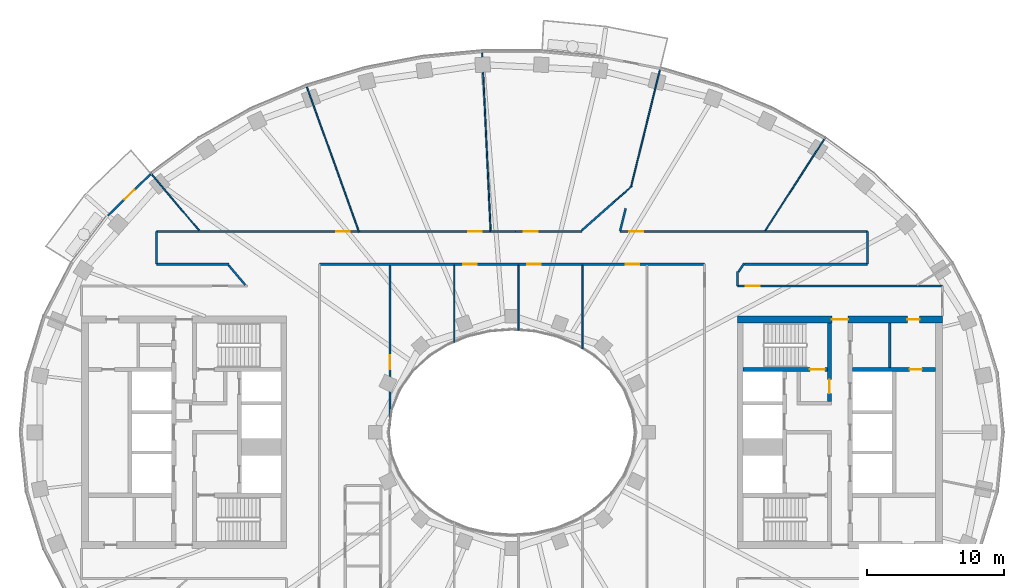
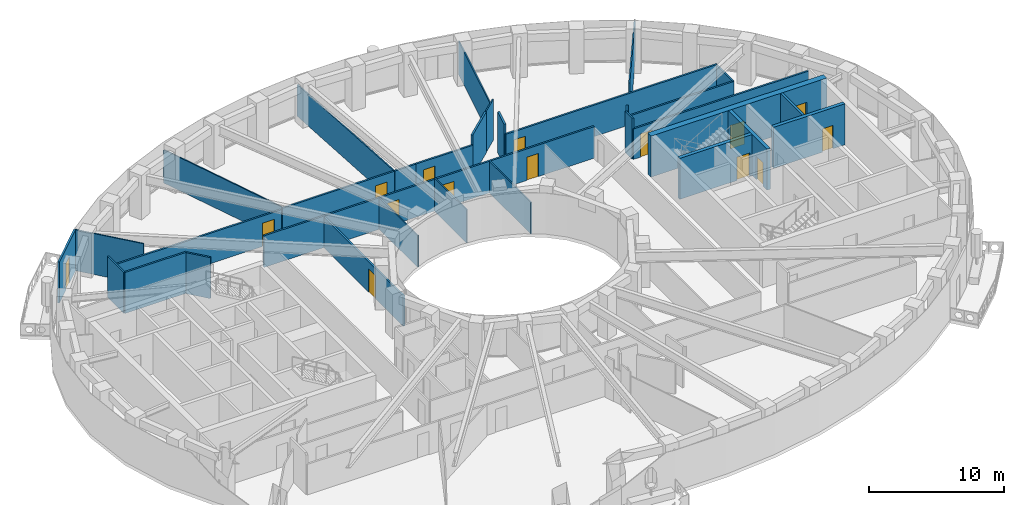
# One storey, part 6 of 16: 32 walls, 15 doors, 15 openings.
"""IFC4 building model written with IfcOpenShell, lengths in metres."""

from ifc_helpers import new_model, si_unit, direction, frame, frame_2d, origin, place, context, subcontext, project, spatial, rectangle, extrude, material, layer, layer_set, type_object, element, fill, save


model = new_model("IFC4")

# Units and contexts
model_context = context("Model", 3, precision=1e-05, world=origin(), true_north=direction((0.0, 1.0)))
body_context = subcontext(model_context, "Body", "Model", "MODEL_VIEW")
ifc_project = project(units=[si_unit("LENGTHUNIT", "METRE"), si_unit("AREAUNIT", "SQUARE_METRE"), si_unit("VOLUMEUNIT", "CUBIC_METRE"), si_unit("PLANEANGLEUNIT", "RADIAN"), si_unit("MASSUNIT", "GRAM", prefix="KILO")], contexts=[model_context])

# Site, building, storey
site_placement = place(None, origin())
site = spatial("IfcSite", under=ifc_project, at=site_placement, CompositionType="ELEMENT")
building_placement = place(site_placement, origin())
building = spatial("IfcBuilding", under=site, at=building_placement, Name="Noorbagh Ring Tower", CompositionType="ELEMENT")
storey_placement = place(building_placement, frame((0.0, 0.0, 249.5)))
storey = spatial("IfcBuildingStorey", under=building, at=storey_placement, Name="L52", CompositionType="ELEMENT", Elevation=249.5)

# Wall
ifc_material_1 = material(Name="Gypsum board on steel studs", Category="steel")
ifc_layer_1 = layer(ifc_material_1, 0.199951171875)
ifc_layer_set_1 = layer_set([ifc_layer_1], Name="Gypsum board on steel studs")
wall_type_1 = type_object("IfcWallType", Name="CORE-PARTITION-200", PredefinedType="PARTITIONING", material=ifc_layer_set_1)
wall_1_placement = place(storey_placement, frame((27.64990234375, 4.75, 0.0), z_axis=(0.0, 0.0, 1.0), x_axis=(0.0, 1.0, 0.0)))
element("IfcWall", 1, at=wall_1_placement, inside=storey, type_object=wall_type_1, Name="Core partition E", PredefinedType="PARTITIONING", context=body_context, shape_type="SweptSolid", body=[
    extrude(rectangle(XDim=3.25, YDim=0.199951171875, at=frame_2d((1.625, 0.0))), origin(), (0.0, 0.0, 1.0), 3.699951171875),
])

# Wall, opening, door
ifc_material_2 = material(Name="Concrete C60/75", Category="concrete")
ifc_layer_2 = layer(ifc_material_2, 0.300048828125)
ifc_layer_set_2 = layer_set([ifc_layer_2], Name="Concrete C60/75")
wall_type_2 = type_object("IfcWallType", Name="CORE-WALL-300-C60-75-EI240", PredefinedType="SHEAR", material=ifc_layer_set_2)
wall_2_placement = place(storey_placement, frame((24.89990234375, 4.60009765625, 0.0), z_axis=(0.0, 0.0, 1.0), x_axis=(1.0, 0.0, 0.0)))
wall_2 = element("IfcWall", 2, at=wall_2_placement, inside=storey, type_object=wall_type_2, Name="Core wall E", PredefinedType="SHEAR", context=body_context, shape_type="SweptSolid", body=[
    extrude(rectangle(XDim=6.10009765625, YDim=0.300048828125, at=frame_2d((3.050048828125, 0.0))), origin(), (0.0, 0.0, 1.0), 3.699951171875),
])
opening_1_placement = place(wall_2_placement, frame((4.199951171875, 0.0, 0.0)))
opening_1 = element("IfcOpeningElement", 3, at=opening_1_placement, cuts=wall_2, Name="Opening L52-CE17", PredefinedType="OPENING", context=body_context, shape_type="SweptSolid", body=[
    extrude(rectangle(XDim=0.89990234375, YDim=2.10009765625, at=frame_2d((0.449951171875, 1.050048828125))), frame((0.0, 0.16015625, 0.0), z_axis=(0.0, -1.0, 0.0), x_axis=(1.0, 0.0, 0.0)), (0.0, 0.0, 1.0), 0.320068359375),
])
ifc_material_3 = material(Name="Steel door leaf", Category="steel")
door_type_1 = type_object("IfcDoorType", Name="CORE-DOOR-DROOM", OperationType="SINGLE_SWING_LEFT", PredefinedType="DOOR", material=ifc_material_3)
door_1_placement = place(opening_1_placement, origin())
door_1 = element("IfcDoor", 4, at=door_1_placement, inside=storey, type_object=door_type_1, Name="Core room door L52-CE17", OperationType="SINGLE_SWING_RIGHT", OverallHeight=2.10009765625, OverallWidth=0.89990234375, PredefinedType="DOOR", context=body_context, shape_type="SweptSolid", body=[
    extrude(rectangle(XDim=0.89990234375, YDim=2.10009765625, at=frame_2d((0.449951171875, 1.050048828125))), frame((0.0, 0.02490234375, 0.0), z_axis=(0.0, -1.0, 0.0), x_axis=(1.0, 0.0, 0.0)), (0.0, 0.0, 1.0), 0.050048828125),
])
fill(opening_1, door_1)

wall_3_placement = place(storey_placement, frame((23.22998046875, 2.25, 0.0), z_axis=(0.0, 0.0, 1.0), x_axis=(0.0, 1.0, 0.0)))
wall_3 = element("IfcWall", 5, at=wall_3_placement, inside=storey, type_object=wall_type_2, Name="Core wall E", PredefinedType="SHEAR", context=body_context, shape_type="SweptSolid", body=[
    extrude(rectangle(XDim=5.75, YDim=0.300048828125, at=frame_2d((2.875, 0.0))), origin(), (0.0, 0.0, 1.0), 3.699951171875),
])
opening_2_placement = place(wall_3_placement, frame((0.60009765625, 0.0, 0.0)))
opening_2 = element("IfcOpeningElement", 6, at=opening_2_placement, cuts=wall_3, Name="Opening L52-CE10", PredefinedType="OPENING", context=body_context, shape_type="SweptSolid", body=[
    extrude(rectangle(XDim=1.0, YDim=2.10009765625, at=frame_2d((0.5, 1.050048828125))), frame((0.0, 0.16015625, 0.0), z_axis=(0.0, -1.0, 0.0), x_axis=(1.0, 0.0, 0.0)), (0.0, 0.0, 1.0), 0.320068359375),
])
ifc_material_4 = material(Name="Steel door leaf", Category="steel")
door_type_2 = type_object("IfcDoorType", Name="CORE-DOOR-DVEST", OperationType="SINGLE_SWING_LEFT", PredefinedType="DOOR", material=ifc_material_4)
door_2_placement = place(opening_2_placement, origin())
door_2 = element("IfcDoor", 7, at=door_2_placement, inside=storey, type_object=door_type_2, Name="Stair vestibule door L52-CE10", OperationType="SINGLE_SWING_RIGHT", OverallHeight=2.10009765625, OverallWidth=1.0, PredefinedType="DOOR", context=body_context, shape_type="SweptSolid", body=[
    extrude(rectangle(XDim=1.0, YDim=2.10009765625, at=frame_2d((0.5, 1.050048828125))), frame((0.0, 0.02490234375, 0.0), z_axis=(0.0, -1.0, 0.0), x_axis=(1.0, 0.0, 0.0)), (0.0, 0.0, 1.0), 0.050048828125),
])
fill(opening_2, door_2)

wall_4_placement = place(storey_placement, frame((16.89990234375, 4.60009765625, 0.0), z_axis=(0.0, 0.0, 1.0), x_axis=(1.0, 0.0, 0.0)))
wall_4 = element("IfcWall", 8, at=wall_4_placement, inside=storey, type_object=wall_type_2, Name="Core wall E", PredefinedType="SHEAR", context=body_context, shape_type="SweptSolid", body=[
    extrude(rectangle(XDim=6.18017578125, YDim=0.300048828125, at=frame_2d((3.090087890625, 0.0))), origin(), (0.0, 0.0, 1.0), 3.699951171875),
])
opening_3_placement = place(wall_4_placement, frame((4.89990234375, 0.0, 0.0)))
opening_3 = element("IfcOpeningElement", 9, at=opening_3_placement, cuts=wall_4, Name="Opening L52-CE07", PredefinedType="OPENING", context=body_context, shape_type="SweptSolid", body=[
    extrude(rectangle(XDim=1.10009765625, YDim=2.10009765625, at=frame_2d((0.550048828125, 1.050048828125))), frame((0.0, 0.16015625, 0.0), z_axis=(0.0, -1.0, 0.0), x_axis=(1.0, 0.0, 0.0)), (0.0, 0.0, 1.0), 0.320068359375),
])
ifc_material_5 = material(Name="Steel door leaf", Category="steel")
door_type_3 = type_object("IfcDoorType", Name="CORE-DOOR-DSTAIR", OperationType="SINGLE_SWING_LEFT", PredefinedType="DOOR", material=ifc_material_5)
door_3_placement = place(opening_3_placement, origin())
door_3 = element("IfcDoor", 10, at=door_3_placement, inside=storey, type_object=door_type_3, Name="Stair door ST3 L52-CE07", OperationType="SINGLE_SWING_LEFT", OverallHeight=2.10009765625, OverallWidth=1.10009765625, PredefinedType="DOOR", context=body_context, shape_type="SweptSolid", body=[
    extrude(rectangle(XDim=1.10009765625, YDim=2.10009765625, at=frame_2d((0.550048828125, 1.050048828125))), frame((0.0, 0.02490234375, 0.0), z_axis=(0.0, -1.0, 0.0), x_axis=(1.0, 0.0, 0.0)), (0.0, 0.0, 1.0), 0.050048828125),
])
fill(opening_3, door_3)

# Wall, openings, doors
ifc_material_6 = material(Name="Concrete C60/75", Category="concrete")
ifc_layer_3 = layer(ifc_material_6, 0.5)
ifc_layer_set_3 = layer_set([ifc_layer_3], Name="Concrete C60/75")
wall_type_3 = type_object("IfcWallType", Name="CORE-WALL-500-C60-75-EI240", PredefinedType="SHEAR", material=ifc_layer_set_3)
wall_5_placement = place(storey_placement, frame((16.5, 8.25, 0.0), z_axis=(0.0, 0.0, 1.0), x_axis=(1.0, 0.0, 0.0)))
wall_5 = element("IfcWall", 11, at=wall_5_placement, inside=storey, type_object=wall_type_3, Name="Core wall E", PredefinedType="SHEAR", context=body_context, shape_type="SweptSolid", body=[
    extrude(rectangle(XDim=15.0, YDim=0.5, at=frame_2d((7.5, 0.0))), origin(), (0.0, 0.0, 1.0), 3.699951171875),
])
opening_4_placement = place(wall_5_placement, frame((6.89990234375, 0.0, 0.0)))
opening_4 = element("IfcOpeningElement", 12, at=opening_4_placement, cuts=wall_5, Name="Opening L52-CE11", PredefinedType="OPENING", context=body_context, shape_type="SweptSolid", body=[
    extrude(rectangle(XDim=1.199951171875, YDim=2.10009765625, at=frame_2d((0.60009765625, 1.050048828125))), frame((0.0, 0.260009765625, 0.0), z_axis=(0.0, -1.0, 0.0), x_axis=(1.0, 0.0, 0.0)), (0.0, 0.0, 1.0), 0.52001953125),
])
opening_5_placement = place(wall_5_placement, frame((12.425048828125, 0.0, 0.0)))
opening_5 = element("IfcOpeningElement", 13, at=opening_5_placement, cuts=wall_5, Name="Opening L52-CE14", PredefinedType="OPENING", context=body_context, shape_type="SweptSolid", body=[
    extrude(rectangle(XDim=0.89990234375, YDim=2.10009765625, at=frame_2d((0.449951171875, 1.050048828125))), frame((0.0, 0.260009765625, 0.0), z_axis=(0.0, -1.0, 0.0), x_axis=(1.0, 0.0, 0.0)), (0.0, 0.0, 1.0), 0.52001953125),
])
door_4_placement = place(opening_5_placement, origin())
door_4 = element("IfcDoor", 14, at=door_4_placement, inside=storey, type_object=door_type_1, Name="Core room door L52-CE14", OperationType="SINGLE_SWING_LEFT", OverallHeight=2.10009765625, OverallWidth=0.89990234375, PredefinedType="DOOR", context=body_context, shape_type="SweptSolid", body=[
    extrude(rectangle(XDim=0.89990234375, YDim=2.10009765625, at=frame_2d((0.449951171875, 1.050048828125))), frame((0.0, 0.02490234375, 0.0), z_axis=(0.0, -1.0, 0.0), x_axis=(1.0, 0.0, 0.0)), (0.0, 0.0, 1.0), 0.050048828125),
])
fill(opening_5, door_4)
ifc_material_7 = material(Name="Steel door leaf", Category="steel")
door_type_4 = type_object("IfcDoorType", Name="CORE-DOOR-PORT", OperationType="DOUBLE_DOOR_DOUBLE_SWING", PredefinedType="DOOR", material=ifc_material_7)
door_5_placement = place(opening_4_placement, origin())
door_5 = element("IfcDoor", 15, at=door_5_placement, inside=storey, type_object=door_type_4, Name="Core entrance door L52-CE11", OperationType="DOUBLE_DOOR_DOUBLE_SWING", OverallHeight=2.10009765625, OverallWidth=1.199951171875, PredefinedType="DOOR", context=body_context, shape_type="SweptSolid", body=[
    extrude(rectangle(XDim=1.199951171875, YDim=2.10009765625, at=frame_2d((0.60009765625, 1.050048828125))), frame((0.0, 0.02490234375, 0.0), z_axis=(0.0, -1.0, 0.0), x_axis=(1.0, 0.0, 0.0)), (0.0, 0.0, 1.0), 0.050048828125),
])
fill(opening_4, door_5)

# Walls
ifc_material_8 = material(Name="Gypsum board on steel studs", Category="steel")
ifc_layer_4 = layer(ifc_material_8, 0.14990234375)
ifc_layer_set_4 = layer_set([ifc_layer_4], Name="Gypsum board on steel studs")
wall_type_4 = type_object("IfcWallType", Name="CORRIDOR PARTITION 150 EI 30", PredefinedType="PARTITIONING", material=ifc_layer_set_4)
wall_6_placement = place(storey_placement, frame((-26.0, 12.300048828125, 0.0), z_axis=(0.0, 0.0, 1.0), x_axis=(0.0, 1.0, 0.0)))
element("IfcWall", 16, at=wall_6_placement, inside=storey, type_object=wall_type_4, Name="L52/wall/P11", PredefinedType="PARTITIONING", context=body_context, shape_type="SweptSolid", body=[
    extrude(rectangle(XDim=2.39990234375, YDim=0.14990234375, at=frame_2d((1.199951171875, 0.0))), origin(), (0.0, 0.0, 1.0), 3.699951171875),
])
wall_7_placement = place(storey_placement, frame((-26.0, 12.300048828125, 0.0), z_axis=(0.0, 0.0, 1.0), x_axis=(1.0, 0.0, 0.0)))
element("IfcWall", 17, at=wall_7_placement, inside=storey, type_object=wall_type_4, Name="L52/wall/P12", PredefinedType="PARTITIONING", context=body_context, shape_type="SweptSolid", body=[
    extrude(rectangle(XDim=5.298095703125, YDim=0.14990234375, at=frame_2d((2.64892578125, 0.0))), origin(), (0.0, 0.0, 1.0), 3.699951171875),
])

# Wall, opening, door
wall_8_placement = place(storey_placement, frame((-26.0, 14.699951171875, 0.0), z_axis=(0.0, 0.0, 1.0), x_axis=(1.0, 0.0, 0.0)))
wall_8 = element("IfcWall", 18, at=wall_8_placement, inside=storey, type_object=wall_type_4, Name="L52/wall/P13", PredefinedType="PARTITIONING", context=body_context, shape_type="SweptSolid", body=[
    extrude(rectangle(XDim=14.781005859375, YDim=0.14990234375, at=frame_2d((7.390625, 0.0))), origin(), (0.0, 0.0, 1.0), 2.75),
])
opening_6_placement = place(wall_8_placement, frame((13.14306640625, 0.0, 0.0)))
opening_6 = element("IfcOpeningElement", 19, at=opening_6_placement, cuts=wall_8, Name="Opening D1", PredefinedType="OPENING", context=body_context, shape_type="SweptSolid", body=[
    extrude(rectangle(XDim=1.0, YDim=2.10009765625, at=frame_2d((0.5, 1.050048828125))), frame((0.0, 0.0849609375, 0.0), z_axis=(0.0, -1.0, 0.0), x_axis=(1.0, 0.0, 0.0)), (0.0, 0.0, 1.0), 0.169921875),
])
ifc_material_9 = material(Name="Timber, painted", Category="wood")
door_type_5 = type_object("IfcDoorType", Name="DOOR 1000 X 2100 FD30", OperationType="SINGLE_SWING_LEFT", PredefinedType="DOOR", material=ifc_material_9)
door_6_placement = place(opening_6_placement, origin())
door_6 = element("IfcDoor", 20, at=door_6_placement, inside=storey, type_object=door_type_5, Name="L52-D09", OperationType="SINGLE_SWING_LEFT", OverallHeight=2.10009765625, OverallWidth=1.0, PredefinedType="DOOR", context=body_context, shape_type="SweptSolid", body=[
    extrude(rectangle(XDim=1.0, YDim=2.10009765625, at=frame_2d((0.5, 1.050048828125))), frame((0.0, 0.02490234375, 0.0), z_axis=(0.0, -1.0, 0.0), x_axis=(1.0, 0.0, 0.0)), (0.0, 0.0, 1.0), 0.050048828125),
])
fill(opening_6, door_6)

# Wall
wall_9_placement = place(storey_placement, frame((-20.73388671875, 12.221923828125, 0.0), z_axis=(0.0, 0.0, 1.0), x_axis=(0.646306563739, -0.763077863437, 0.0)))
element("IfcWall", 21, at=wall_9_placement, inside=storey, type_object=wall_type_4, Name="L52/wall/P15", PredefinedType="PARTITIONING", context=body_context, shape_type="SweptSolid", body=[
    extrude(rectangle(XDim=1.89208984375, YDim=0.14990234375, at=frame_2d((0.946044921875, 0.0))), origin(), (0.0, 0.0, 1.0), 3.699951171875),
])

# Wall, openings, doors
wall_10_placement = place(storey_placement, frame((-14.10009765625, 12.300048828125, 0.0), z_axis=(0.0, 0.0, 1.0), x_axis=(1.0, 0.0, 0.0)))
wall_10 = element("IfcWall", 22, at=wall_10_placement, inside=storey, type_object=wall_type_4, Name="L52/wall/P22", PredefinedType="PARTITIONING", context=body_context, shape_type="SweptSolid", body=[
    extrude(rectangle(XDim=28.2001953125, YDim=0.14990234375, at=frame_2d((14.10009765625, 0.0))), origin(), (0.0, 0.0, 1.0), 2.85009765625),
])
opening_7_placement = place(wall_10_placement, frame((10.52001953125, 0.0, 0.0)))
opening_7 = element("IfcOpeningElement", 23, at=opening_7_placement, cuts=wall_10, Name="Opening D1", PredefinedType="OPENING", context=body_context, shape_type="SweptSolid", body=[
    extrude(rectangle(XDim=1.0, YDim=2.10009765625, at=frame_2d((0.5, 1.050048828125))), frame((0.0, 0.0849609375, 0.0), z_axis=(0.0, -1.0, 0.0), x_axis=(1.0, 0.0, 0.0)), (0.0, 0.0, 1.0), 0.169921875),
])
opening_8_placement = place(wall_10_placement, frame((15.219970703125, 0.0, 0.0)))
opening_8 = element("IfcOpeningElement", 24, at=opening_8_placement, cuts=wall_10, Name="Opening D1", PredefinedType="OPENING", context=body_context, shape_type="SweptSolid", body=[
    extrude(rectangle(XDim=1.0, YDim=2.10009765625, at=frame_2d((0.5, 1.050048828125))), frame((0.0, 0.0849609375, 0.0), z_axis=(0.0, -1.0, 0.0), x_axis=(1.0, 0.0, 0.0)), (0.0, 0.0, 1.0), 0.169921875),
])
opening_9_placement = place(wall_10_placement, frame((22.419921875, 0.0, 0.0)))
opening_9 = element("IfcOpeningElement", 25, at=opening_9_placement, cuts=wall_10, Name="Opening D1", PredefinedType="OPENING", context=body_context, shape_type="SweptSolid", body=[
    extrude(rectangle(XDim=1.0, YDim=2.10009765625, at=frame_2d((0.5, 1.050048828125))), frame((0.0, 0.0849609375, 0.0), z_axis=(0.0, -1.0, 0.0), x_axis=(1.0, 0.0, 0.0)), (0.0, 0.0, 1.0), 0.169921875),
])
door_7_placement = place(opening_7_placement, origin())
door_7 = element("IfcDoor", 26, at=door_7_placement, inside=storey, type_object=door_type_5, Name="L52-D23", OperationType="SINGLE_SWING_LEFT", OverallHeight=2.10009765625, OverallWidth=1.0, PredefinedType="DOOR", context=body_context, shape_type="SweptSolid", body=[
    extrude(rectangle(XDim=1.0, YDim=2.10009765625, at=frame_2d((0.5, 1.050048828125))), frame((0.0, 0.02490234375, 0.0), z_axis=(0.0, -1.0, 0.0), x_axis=(1.0, 0.0, 0.0)), (0.0, 0.0, 1.0), 0.050048828125),
])
fill(opening_7, door_7)
door_8_placement = place(opening_8_placement, origin())
door_8 = element("IfcDoor", 27, at=door_8_placement, inside=storey, type_object=door_type_5, Name="L52-D25", OperationType="SINGLE_SWING_LEFT", OverallHeight=2.10009765625, OverallWidth=1.0, PredefinedType="DOOR", context=body_context, shape_type="SweptSolid", body=[
    extrude(rectangle(XDim=1.0, YDim=2.10009765625, at=frame_2d((0.5, 1.050048828125))), frame((0.0, 0.02490234375, 0.0), z_axis=(0.0, -1.0, 0.0), x_axis=(1.0, 0.0, 0.0)), (0.0, 0.0, 1.0), 0.050048828125),
])
fill(opening_8, door_8)
door_9_placement = place(opening_9_placement, origin())
door_9 = element("IfcDoor", 28, at=door_9_placement, inside=storey, type_object=door_type_5, Name="L52-D26", OperationType="SINGLE_SWING_RIGHT", OverallHeight=2.10009765625, OverallWidth=1.0, PredefinedType="DOOR", context=body_context, shape_type="SweptSolid", body=[
    extrude(rectangle(XDim=1.0, YDim=2.10009765625, at=frame_2d((0.5, 1.050048828125))), frame((0.0, 0.02490234375, 0.0), z_axis=(0.0, -1.0, 0.0), x_axis=(1.0, 0.0, 0.0)), (0.0, 0.0, 1.0), 0.050048828125),
])
fill(opening_9, door_9)

# Wall, opening, door
wall_11_placement = place(storey_placement, frame((-11.154052734375, 14.699951171875, 0.0), z_axis=(0.0, 0.0, 1.0), x_axis=(1.0, 0.0, 0.0)))
wall_11 = element("IfcWall", 29, at=wall_11_placement, inside=storey, type_object=wall_type_4, Name="L52/wall/P29", PredefinedType="PARTITIONING", context=body_context, shape_type="SweptSolid", body=[
    extrude(rectangle(XDim=9.572021484375, YDim=0.14990234375, at=frame_2d((4.7861328125, 0.0))), origin(), (0.0, 0.0, 1.0), 2.85009765625),
])
opening_10_placement = place(wall_11_placement, frame((7.94189453125, 0.0, 0.0)))
opening_10 = element("IfcOpeningElement", 30, at=opening_10_placement, cuts=wall_11, Name="Opening D1", PredefinedType="OPENING", context=body_context, shape_type="SweptSolid", body=[
    extrude(rectangle(XDim=1.0, YDim=2.10009765625, at=frame_2d((0.5, 1.050048828125))), frame((0.0, 0.0849609375, 0.0), z_axis=(0.0, -1.0, 0.0), x_axis=(1.0, 0.0, 0.0)), (0.0, 0.0, 1.0), 0.169921875),
])
door_10_placement = place(opening_10_placement, origin())
door_10 = element("IfcDoor", 31, at=door_10_placement, inside=storey, type_object=door_type_5, Name="L52-D13", OperationType="SINGLE_SWING_LEFT", OverallHeight=2.10009765625, OverallWidth=1.0, PredefinedType="DOOR", context=body_context, shape_type="SweptSolid", body=[
    extrude(rectangle(XDim=1.0, YDim=2.10009765625, at=frame_2d((0.5, 1.050048828125))), frame((0.0, 0.02490234375, 0.0), z_axis=(0.0, -1.0, 0.0), x_axis=(1.0, 0.0, 0.0)), (0.0, 0.0, 1.0), 0.050048828125),
])
fill(opening_10, door_10)

wall_12_placement = place(storey_placement, frame((-8.929931640625, 0.51806640625, 0.0), z_axis=(0.0, 0.0, 1.0), x_axis=(0.0, 1.0, 0.0)))
wall_12 = element("IfcWall", 32, at=wall_12_placement, inside=storey, type_object=wall_type_4, Name="L52/wall/P33", PredefinedType="PARTITIONING", context=body_context, shape_type="SweptSolid", body=[
    extrude(rectangle(XDim=11.70703125, YDim=0.14990234375, at=frame_2d((5.853515625, 0.0))), origin(), (0.0, 0.0, 1.0), 2.75),
])
opening_11_placement = place(wall_12_placement, frame((4.110107421875, 0.0, 0.0)))
opening_11 = element("IfcOpeningElement", 33, at=opening_11_placement, cuts=wall_12, Name="Opening D1", PredefinedType="OPENING", context=body_context, shape_type="SweptSolid", body=[
    extrude(rectangle(XDim=1.0, YDim=2.10009765625, at=frame_2d((0.5, 1.050048828125))), frame((0.0, 0.0849609375, 0.0), z_axis=(0.0, -1.0, 0.0), x_axis=(1.0, 0.0, 0.0)), (0.0, 0.0, 1.0), 0.169921875),
])
door_11_placement = place(opening_11_placement, origin())
door_11 = element("IfcDoor", 34, at=door_11_placement, inside=storey, type_object=door_type_5, Name="L52-D21", OperationType="SINGLE_SWING_LEFT", OverallHeight=2.10009765625, OverallWidth=1.0, PredefinedType="DOOR", context=body_context, shape_type="SweptSolid", body=[
    extrude(rectangle(XDim=1.0, YDim=2.10009765625, at=frame_2d((0.5, 1.050048828125))), frame((0.0, 0.02490234375, 0.0), z_axis=(0.0, -1.0, 0.0), x_axis=(1.0, 0.0, 0.0)), (0.0, 0.0, 1.0), 0.050048828125),
])
fill(opening_11, door_11)

# Wall
wall_13_placement = place(storey_placement, frame((-1.56201171875, 14.699951171875, 0.0), z_axis=(0.0, 0.0, 1.0), x_axis=(1.0, 0.0, 0.0)))
element("IfcWall", 35, at=wall_13_placement, inside=storey, type_object=wall_type_4, Name="L52/wall/P37", PredefinedType="PARTITIONING", context=body_context, shape_type="SweptSolid", body=[
    extrude(rectangle(XDim=1.805908203125, YDim=0.14990234375, at=frame_2d((0.90283203125, 0.0))), origin(), (0.0, 0.0, 1.0), 2.85009765625),
])

# Wall, opening, door
wall_14_placement = place(storey_placement, frame((0.236083984375, 14.699951171875, 0.0), z_axis=(0.0, 0.0, 1.0), x_axis=(1.0, 0.0, 0.0)))
wall_14 = element("IfcWall", 36, at=wall_14_placement, inside=storey, type_object=wall_type_4, Name="L52/wall/P42", PredefinedType="PARTITIONING", context=body_context, shape_type="SweptSolid", body=[
    extrude(rectangle(XDim=4.89794921875, YDim=0.14990234375, at=frame_2d((2.448974609375, 0.0))), origin(), (0.0, 0.0, 1.0), 2.85009765625),
])
opening_12_placement = place(wall_14_placement, frame((0.635009765625, 0.0, 0.0)))
opening_12 = element("IfcOpeningElement", 37, at=opening_12_placement, cuts=wall_14, Name="Opening D1", PredefinedType="OPENING", context=body_context, shape_type="SweptSolid", body=[
    extrude(rectangle(XDim=1.0, YDim=2.10009765625, at=frame_2d((0.5, 1.050048828125))), frame((0.0, 0.0849609375, 0.0), z_axis=(0.0, -1.0, 0.0), x_axis=(1.0, 0.0, 0.0)), (0.0, 0.0, 1.0), 0.169921875),
])
door_12_placement = place(opening_12_placement, origin())
door_12 = element("IfcDoor", 38, at=door_12_placement, inside=storey, type_object=door_type_5, Name="L52-D14", OperationType="SINGLE_SWING_RIGHT", OverallHeight=2.10009765625, OverallWidth=1.0, PredefinedType="DOOR", context=body_context, shape_type="SweptSolid", body=[
    extrude(rectangle(XDim=1.0, YDim=2.10009765625, at=frame_2d((0.5, 1.050048828125))), frame((0.0, 0.02490234375, 0.0), z_axis=(0.0, -1.0, 0.0), x_axis=(1.0, 0.0, 0.0)), (0.0, 0.0, 1.0), 0.050048828125),
])
fill(opening_12, door_12)

# Walls
wall_15_placement = place(storey_placement, frame((5.10888671875, 14.778076171875, 0.0), z_axis=(0.0, 0.0, 1.0), x_axis=(0.749070135498, 0.66249070341, 0.0)))
element("IfcWall", 39, at=wall_15_placement, inside=storey, type_object=wall_type_4, Name="L52/wall/P50", PredefinedType="PARTITIONING", context=body_context, shape_type="SweptSolid", body=[
    extrude(rectangle(XDim=3.166748046875, YDim=0.14990234375, at=frame_2d((1.58349609375, 0.0))), origin(), (0.0, 0.0, 1.0), 3.699951171875),
])
wall_16_placement = place(storey_placement, frame((7.9130859375, 14.741943359375, 0.0), z_axis=(0.0, 0.0, 1.0), x_axis=(0.239199453385, 0.970970453464, 0.0)))
element("IfcWall", 40, at=wall_16_placement, inside=storey, type_object=wall_type_4, Name="L52/wall/P54", PredefinedType="PARTITIONING", context=body_context, shape_type="SweptSolid", body=[
    extrude(rectangle(XDim=1.688232421875, YDim=0.14990234375, at=frame_2d((0.84423828125, 0.0))), origin(), (0.0, 0.0, 1.0), 3.699951171875),
])

# Wall, opening, door
wall_17_placement = place(storey_placement, frame((7.9189453125, 14.699951171875, 0.0), z_axis=(0.0, 0.0, 1.0), x_axis=(1.0, 0.0, 0.0)))
wall_17 = element("IfcWall", 41, at=wall_17_placement, inside=storey, type_object=wall_type_4, Name="L52/wall/P55", PredefinedType="PARTITIONING", context=body_context, shape_type="SweptSolid", body=[
    extrude(rectangle(XDim=18.0810546875, YDim=0.14990234375, at=frame_2d((9.04052734375, 0.0))), origin(), (0.0, 0.0, 1.0), 2.85009765625),
])
opening_13_placement = place(wall_17_placement, frame((0.677978515625, 0.0, 0.0)))
opening_13 = element("IfcOpeningElement", 42, at=opening_13_placement, cuts=wall_17, Name="Opening D1", PredefinedType="OPENING", context=body_context, shape_type="SweptSolid", body=[
    extrude(rectangle(XDim=1.0, YDim=2.10009765625, at=frame_2d((0.5, 1.050048828125))), frame((0.0, 0.0849609375, 0.0), z_axis=(0.0, -1.0, 0.0), x_axis=(1.0, 0.0, 0.0)), (0.0, 0.0, 1.0), 0.169921875),
])
door_13_placement = place(opening_13_placement, origin())
door_13 = element("IfcDoor", 43, at=door_13_placement, inside=storey, type_object=door_type_5, Name="L52-D16", OperationType="SINGLE_SWING_RIGHT", OverallHeight=2.10009765625, OverallWidth=1.0, PredefinedType="DOOR", context=body_context, shape_type="SweptSolid", body=[
    extrude(rectangle(XDim=1.0, YDim=2.10009765625, at=frame_2d((0.5, 1.050048828125))), frame((0.0, 0.02490234375, 0.0), z_axis=(0.0, -1.0, 0.0), x_axis=(1.0, 0.0, 0.0)), (0.0, 0.0, 1.0), 0.050048828125),
])
fill(opening_13, door_13)

# Wall
wall_18_placement = place(storey_placement, frame((16.5, 10.699951171875, 0.0), z_axis=(0.0, 0.0, 1.0), x_axis=(0.0, 1.0, 0.0)))
element("IfcWall", 44, at=wall_18_placement, inside=storey, type_object=wall_type_4, Name="L52/wall/P63", PredefinedType="PARTITIONING", context=body_context, shape_type="SweptSolid", body=[
    extrude(rectangle(XDim=1.05615234375, YDim=0.14990234375, at=frame_2d((0.528076171875, 0.0))), origin(), (0.0, 0.0, 1.0), 3.699951171875),
])

# Wall, opening, door
wall_19_placement = place(storey_placement, frame((16.5, 10.699951171875, 0.0), z_axis=(0.0, 0.0, 1.0), x_axis=(1.0, 0.0, 0.0)))
wall_19 = element("IfcWall", 45, at=wall_19_placement, inside=storey, type_object=wall_type_4, Name="L52/wall/P64", PredefinedType="PARTITIONING", context=body_context, shape_type="SweptSolid", body=[
    extrude(rectangle(XDim=15.0, YDim=0.14990234375, at=frame_2d((7.5, 0.0))), origin(), (0.0, 0.0, 1.0), 2.75),
])
opening_14_placement = place(wall_19_placement, frame((0.62109375, 0.0, 0.0)))
opening_14 = element("IfcOpeningElement", 46, at=opening_14_placement, cuts=wall_19, Name="Opening D1", PredefinedType="OPENING", context=body_context, shape_type="SweptSolid", body=[
    extrude(rectangle(XDim=1.0, YDim=2.10009765625, at=frame_2d((0.5, 1.050048828125))), frame((0.0, 0.0849609375, 0.0), z_axis=(0.0, -1.0, 0.0), x_axis=(1.0, 0.0, 0.0)), (0.0, 0.0, 1.0), 0.169921875),
])
door_14_placement = place(opening_14_placement, origin())
door_14 = element("IfcDoor", 47, at=door_14_placement, inside=storey, type_object=door_type_5, Name="L52-D18", OperationType="SINGLE_SWING_RIGHT", OverallHeight=2.10009765625, OverallWidth=1.0, PredefinedType="DOOR", context=body_context, shape_type="SweptSolid", body=[
    extrude(rectangle(XDim=1.0, YDim=2.10009765625, at=frame_2d((0.5, 1.050048828125))), frame((0.0, 0.02490234375, 0.0), z_axis=(0.0, -1.0, 0.0), x_axis=(1.0, 0.0, 0.0)), (0.0, 0.0, 1.0), 0.050048828125),
])
fill(opening_14, door_14)

# Walls
wall_20_placement = place(storey_placement, frame((16.576904296875, 11.737060546875, 0.0), z_axis=(0.0, 0.0, 1.0), x_axis=(0.541716486253, 0.840561269939, 0.0)))
element("IfcWall", 48, at=wall_20_placement, inside=storey, type_object=wall_type_4, Name="L52/wall/P65", PredefinedType="PARTITIONING", context=body_context, shape_type="SweptSolid", body=[
    extrude(rectangle(XDim=0.759033203125, YDim=0.14990234375, at=frame_2d((0.37939453125, 0.0))), origin(), (0.0, 0.0, 1.0), 3.699951171875),
])
wall_21_placement = place(storey_placement, frame((17.029052734375, 12.300048828125, 0.0), z_axis=(0.0, 0.0, 1.0), x_axis=(1.0, 0.0, 0.0)))
element("IfcWall", 49, at=wall_21_placement, inside=storey, type_object=wall_type_4, Name="L52/wall/P66", PredefinedType="PARTITIONING", context=body_context, shape_type="SweptSolid", body=[
    extrude(rectangle(XDim=8.970947265625, YDim=0.14990234375, at=frame_2d((4.4853515625, 0.0))), origin(), (0.0, 0.0, 1.0), 2.75),
])
wall_22_placement = place(storey_placement, frame((26.0, 12.300048828125, 0.0), z_axis=(0.0, 0.0, 1.0), x_axis=(0.0, 1.0, 0.0)))
element("IfcWall", 50, at=wall_22_placement, inside=storey, type_object=wall_type_4, Name="L52/wall/P69", PredefinedType="PARTITIONING", context=body_context, shape_type="SweptSolid", body=[
    extrude(rectangle(XDim=2.39990234375, YDim=0.14990234375, at=frame_2d((1.199951171875, 0.0))), origin(), (0.0, 0.0, 1.0), 2.75),
])

# Wall, opening, door
ifc_material_10 = material(Name="Insulated aluminium clad panel", Category="aluminium")
ifc_layer_5 = layer(ifc_material_10, 0.14990234375)
ifc_layer_set_5 = layer_set([ifc_layer_5], Name="Insulated aluminium clad panel")
wall_type_5 = type_object("IfcWallType", Name="ENV-WALL-DOOR", PredefinedType="STANDARD", material=ifc_layer_set_5)
wall_23_placement = place(storey_placement, frame((-26.396484375, 18.943359375, 0.0), z_axis=(0.0, 0.0, 1.0), x_axis=(-0.717214761864, -0.696852197647, 0.0)))
wall_23 = element("IfcWall", 51, at=wall_23_placement, inside=storey, type_object=wall_type_5, Name="Balcony door wall chord 19", PredefinedType="STANDARD", context=body_context, shape_type="SweptSolid", body=[
    extrude(rectangle(XDim=4.424072265625, YDim=0.14990234375, at=frame_2d((2.2119140625, 0.0))), origin(), (0.0, 0.0, 1.0), 3.699951171875),
])
opening_15_placement = place(wall_23_placement, frame((1.712158203125, 0.0, 0.0)))
opening_15 = element("IfcOpeningElement", 52, at=opening_15_placement, cuts=wall_23, Name="Opening D-BL", PredefinedType="OPENING", context=body_context, shape_type="SweptSolid", body=[
    extrude(rectangle(XDim=1.0, YDim=2.39990234375, at=frame_2d((0.5, 1.199951171875))), frame((0.0, 0.0849609375, 0.0), z_axis=(0.0, -1.0, 0.0), x_axis=(1.0, 0.0, 0.0)), (0.0, 0.0, 1.0), 0.169921875),
])
ifc_material_11 = material(Name="Aluminium and glass", Category="aluminium")
door_type_6 = type_object("IfcDoorType", Name="ENV-DOOR-BALCONY", OperationType="SINGLE_SWING_LEFT", PredefinedType="DOOR", material=ifc_material_11)
door_15_placement = place(opening_15_placement, origin())
door_15 = element("IfcDoor", 53, at=door_15_placement, inside=storey, type_object=door_type_6, Name="Balcony door chord 19", OperationType="SINGLE_SWING_LEFT", OverallHeight=2.39990234375, OverallWidth=1.0, PredefinedType="DOOR", context=body_context, shape_type="SweptSolid", body=[
    extrude(rectangle(XDim=1.0, YDim=2.39990234375, at=frame_2d((0.5, 1.199951171875))), frame((0.0, 0.02490234375, 0.0), z_axis=(0.0, -1.0, 0.0), x_axis=(1.0, 0.0, 0.0)), (0.0, 0.0, 1.0), 0.050048828125),
])
fill(opening_15, door_15)

# Walls
ifc_material_12 = material(Name="Gypsum board on steel studs", Category="steel")
ifc_layer_6 = layer(ifc_material_12, 0.10009765625)
ifc_layer_set_6 = layer_set([ifc_layer_6], Name="Gypsum board on steel studs")
wall_type_6 = type_object("IfcWallType", Name="PARTITION 100 GYPSUM", PredefinedType="PARTITIONING", material=ifc_layer_set_6)
wall_24_placement = place(storey_placement, frame((-26.429931640625, 18.945068359375, 0.0), z_axis=(0.0, 0.0, 1.0), x_axis=(0.646381008665, -0.763014804337, 0.0)))
element("IfcWall", 54, at=wall_24_placement, inside=storey, type_object=wall_type_6, Name="L52/wall/P07", PredefinedType="PARTITIONING", context=body_context, shape_type="SweptSolid", body=[
    extrude(rectangle(XDim=5.461181640625, YDim=0.10009765625, at=frame_2d((2.73046875, 0.0))), origin(), (0.0, 0.0, 1.0), 3.699951171875),
])
wall_25_placement = place(storey_placement, frame((-15.048095703125, 25.383056640625, 0.0), z_axis=(0.0, 0.0, 1.0), x_axis=(0.338385843246, -0.941007450072, 0.0)))
element("IfcWall", 55, at=wall_25_placement, inside=storey, type_object=wall_type_6, Name="L52/wall/P19", PredefinedType="PARTITIONING", context=body_context, shape_type="SweptSolid", body=[
    extrude(rectangle(XDim=11.42822265625, YDim=0.10009765625, at=frame_2d((5.714111328125, 0.0))), origin(), (0.0, 0.0, 1.0), 3.0),
])
wall_26_placement = place(storey_placement, frame((-4.22998046875, 6.592041015625, 0.0), z_axis=(0.0, 0.0, 1.0), x_axis=(0.0, 1.0, 0.0)))
element("IfcWall", 56, at=wall_26_placement, inside=storey, type_object=wall_type_6, Name="L52/wall/P35", PredefinedType="PARTITIONING", context=body_context, shape_type="SweptSolid", body=[
    extrude(rectangle(XDim=5.633056640625, YDim=0.10009765625, at=frame_2d((2.81640625, 0.0))), origin(), (0.0, 0.0, 1.0), 2.85009765625),
])
wall_27_placement = place(storey_placement, frame((-2.18994140625, 27.89794921875, 0.0), z_axis=(0.0, 0.0, 1.0), x_axis=(0.047523888742, -0.998870101664, 0.0)))
element("IfcWall", 57, at=wall_27_placement, inside=storey, type_object=wall_type_6, Name="L52/wall/P36", PredefinedType="PARTITIONING", context=body_context, shape_type="SweptSolid", body=[
    extrude(rectangle(XDim=13.212890625, YDim=0.10009765625, at=frame_2d((6.6064453125, 0.0))), origin(), (0.0, 0.0, 1.0), 2.85009765625),
])
wall_28_placement = place(storey_placement, frame((0.469970703125, 7.468994140625, 0.0), z_axis=(0.0, 0.0, 1.0), x_axis=(0.0, 1.0, 0.0)))
element("IfcWall", 58, at=wall_28_placement, inside=storey, type_object=wall_type_6, Name="L52/wall/P44", PredefinedType="PARTITIONING", context=body_context, shape_type="SweptSolid", body=[
    extrude(rectangle(XDim=4.756103515625, YDim=0.10009765625, at=frame_2d((2.3779296875, 0.0))), origin(), (0.0, 0.0, 1.0), 3.0),
])
wall_29_placement = place(storey_placement, frame((5.169921875, 6.10498046875, 0.0), z_axis=(0.0, 0.0, 1.0), x_axis=(0.0, 1.0, 0.0)))
element("IfcWall", 59, at=wall_29_placement, inside=storey, type_object=wall_type_6, Name="L52/wall/P52", PredefinedType="PARTITIONING", context=body_context, shape_type="SweptSolid", body=[
    extrude(rectangle(XDim=6.1201171875, YDim=0.10009765625, at=frame_2d((3.06005859375, 0.0))), origin(), (0.0, 0.0, 1.0), 2.85009765625),
])
wall_30_placement = place(storey_placement, frame((7.489013671875, 16.883056640625, 0.0), z_axis=(0.0, 0.0, 1.0), x_axis=(0.749189441932, 0.662355780602, 0.0)))
element("IfcWall", 60, at=wall_30_placement, inside=storey, type_object=wall_type_6, Name="L52/wall/P53", PredefinedType="PARTITIONING", context=body_context, shape_type="SweptSolid", body=[
    extrude(rectangle(XDim=1.715087890625, YDim=0.10009765625, at=frame_2d((0.857421875, 0.0))), origin(), (0.0, 0.0, 1.0), 3.699951171875),
])
wall_31_placement = place(storey_placement, frame((8.72900390625, 18.0458984375, 0.0), z_axis=(0.0, 0.0, 1.0), x_axis=(0.239772155265, 0.970829188663, 0.0)))
element("IfcWall", 61, at=wall_31_placement, inside=storey, type_object=wall_type_6, Name="L52/wall/P56", PredefinedType="PARTITIONING", context=body_context, shape_type="SweptSolid", body=[
    extrude(rectangle(XDim=8.8583984375, YDim=0.10009765625, at=frame_2d((4.42919921875, 0.0))), origin(), (0.0, 0.0, 1.0), 3.0),
])
wall_32_placement = place(storey_placement, frame((18.5380859375, 14.77490234375, 0.0), z_axis=(0.0, 0.0, 1.0), x_axis=(0.542221460331, 0.840235614549, 0.0)))
element("IfcWall", 62, at=wall_32_placement, inside=storey, type_object=wall_type_6, Name="L52/wall/P67", PredefinedType="PARTITIONING", context=body_context, shape_type="SweptSolid", body=[
    extrude(rectangle(XDim=8.0537109375, YDim=0.10009765625, at=frame_2d((4.02685546875, 0.0))), origin(), (0.0, 0.0, 1.0), 3.699951171875),
])

save(model, "model.ifc")
